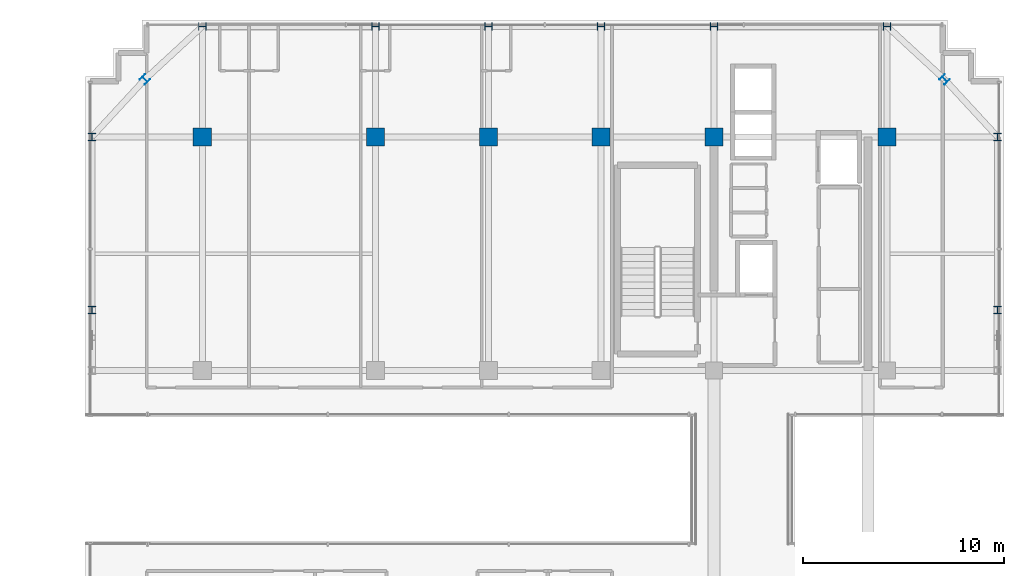
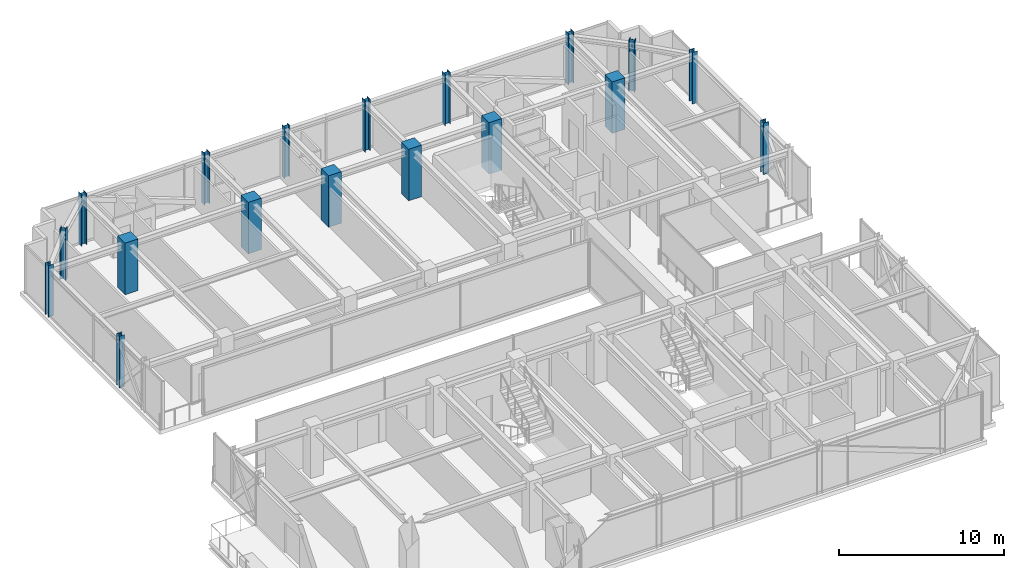
# One storey, part 3 of 37: 18 columns.
"""IFC4 building model written with IfcOpenShell, lengths in metres."""

from ifc_helpers import new_model, si_unit, direction, frame, origin, origin_2d, place, context, subcontext, project, spatial, rectangle, i_section, extrude, source, transform, mapped, material, material_profile, profile_set, type_object, element, save


model = new_model("IFC4")

# Units and contexts
model_context = context("Model", 3, precision=1e-05, world=origin(), true_north=direction((0.0, 1.0)))
body_context = subcontext(model_context, "Body", "Model", "MODEL_VIEW")
ifc_project = project(units=[si_unit("LENGTHUNIT", "METRE"), si_unit("AREAUNIT", "SQUARE_METRE"), si_unit("VOLUMEUNIT", "CUBIC_METRE"), si_unit("PLANEANGLEUNIT", "RADIAN"), si_unit("MASSUNIT", "GRAM", prefix="KILO")], contexts=[model_context])

# Site, building, storey
site_placement = place(None, origin())
site = spatial("IfcSite", under=ifc_project, at=site_placement, CompositionType="ELEMENT")
building_placement = place(site_placement, origin())
building = spatial("IfcBuilding", under=site, at=building_placement, Name="Nahalor Promenade Grand Hotel", CompositionType="ELEMENT")
storey_placement = place(building_placement, frame((0.0, 0.0, 292.64990234375)))
storey = spatial("IfcBuildingStorey", under=building, at=storey_placement, Name="L75", CompositionType="ELEMENT", Elevation=292.64990234375)

# Columns
ifc_material_1 = material(Name="Concrete B-50 (C40/50)", Category="concrete")
ifc_material_profile_1 = material_profile(ifc_material_1, rectangle(XDim=0.9, YDim=0.9, at=origin_2d()), Name="RC 900x900")
ifc_profile_set_1 = profile_set([ifc_material_profile_1], Name="Concrete B-50 (C40/50)")
column_type_1 = type_object("IfcColumnType", Name="Col-RC-900", PredefinedType="COLUMN", material=ifc_profile_set_1)
shared_shape_1 = source(origin(), body_context, "Body", "SweptSolid", [
    extrude(rectangle(XDim=0.9, YDim=0.9, at=origin_2d()), origin(), (0.0, 0.0, 1.0), 3.80517578125),
])
for number, where, z_axis, x_axis, name in (
    (1, (-17.0, 17.0, 0.0), (0.0, 0.0, 1.0), (1.0, 0.0, 0.0), "COL-L75-I03"),
    (2, (-8.39990234375, 17.0, 0.0), (0.0, 0.0, 1.0), (1.0, 0.0, 0.0), "COL-L75-I13"),
    (3, (-2.800048828125, 17.0, 0.0), (0.0, 0.0, 1.0), (1.0, 0.0, 0.0), "COL-L75-I23"),
    (4, (2.800048828125, 17.0, 0.0), (0.0, 0.0, 1.0), (1.0, 0.0, 0.0), "COL-L75-I33"),
    (5, (8.39990234375, 17.0, 0.0), (0.0, 0.0, 1.0), (1.0, 0.0, 0.0), "COL-L75-I43"),
    (6, (17.0, 17.0, 0.0), (0.0, 0.0, 1.0), (1.0, 0.0, 0.0), "COL-L75-I53"),
):
    element("IfcColumn", number, at=place(storey_placement, frame(where, z_axis=z_axis, x_axis=x_axis)), inside=storey, type_object=column_type_1, Name=name, PredefinedType="COLUMN", context=body_context, shape_type="MappedRepresentation", body=[
        mapped(shared_shape_1, transform((0.0, 0.0, 0.0), scale=1.0)),
    ])
ifc_material_2 = material(Name="Steel S355JR", Category="steel")
ifc_material_profile_2 = material_profile(ifc_material_2, i_section(OverallWidth=0.374, OverallDepth=0.374, WebThickness=0.0144, FlangeThickness=0.0229, at=origin_2d()), Name="HD 360x262")
ifc_profile_set_2 = profile_set([ifc_material_profile_2], Name="Steel S355JR")
column_type_2 = type_object("IfcColumnType", Name="Col-Steel-HD262", PredefinedType="COLUMN", material=ifc_profile_set_2)
shared_shape_2 = source(origin(), body_context, "Body", "SweptSolid", [
    extrude(i_section(OverallWidth=0.374, OverallDepth=0.374, WebThickness=0.0144, FlangeThickness=0.0229, at=origin_2d()), origin(), (0.0, 0.0, 1.0), 3.80517578125),
])
for number, where, z_axis, x_axis, name in (
    (7, (-22.47998046875, 8.39990234375, 0.0), (0.0, 0.0, 1.0), (1.0, 0.0, 0.0), "COL-L75-PW-W4"),
    (8, (22.47998046875, 8.39990234375, 0.0), (0.0, 0.0, 1.0), (1.0, 0.0, 0.0), "COL-L75-PW-E4"),
    (9, (-22.47998046875, 17.0, 0.0), (0.0, 0.0, 1.0), (1.0, 0.0, 0.0), "COL-L75-PW-W5"),
    (10, (22.47998046875, 17.0, 0.0), (0.0, 0.0, 1.0), (1.0, 0.0, 0.0), "COL-L75-PW-E5"),
    (11, (-17.0, 22.47998046875, 0.0), (0.0, 0.0, 1.0), (0.0, 1.0, 0.0), "COL-L75-PN-N0"),
    (12, (-8.39990234375, 22.47998046875, 0.0), (0.0, 0.0, 1.0), (0.0, 1.0, 0.0), "COL-L75-PN-N1"),
    (13, (-2.800048828125, 22.47998046875, 0.0), (0.0, 0.0, 1.0), (0.0, 1.0, 0.0), "COL-L75-PN-N2"),
    (14, (2.800048828125, 22.47998046875, 0.0), (0.0, 0.0, 1.0), (0.0, 1.0, 0.0), "COL-L75-PN-N3"),
    (15, (8.39990234375, 22.47998046875, 0.0), (0.0, 0.0, 1.0), (0.0, 1.0, 0.0), "COL-L75-PN-N4"),
    (16, (17.0, 22.47998046875, 0.0), (0.0, 0.0, 1.0), (0.0, 1.0, 0.0), "COL-L75-PN-N5"),
    (17, (-19.85009765625, 19.85009765625, 0.0), (0.0, 0.0, 1.0), (0.707106781187, 0.707106781187, 0.0), "COL-L75-CRN-NW"),
    (18, (19.85009765625, 19.85009765625, 0.0), (0.0, 0.0, 1.0), (0.707106781187, 0.707106781187, 0.0), "COL-L75-CRN-NE"),
):
    element("IfcColumn", number, at=place(storey_placement, frame(where, z_axis=z_axis, x_axis=x_axis)), inside=storey, type_object=column_type_2, Name=name, PredefinedType="COLUMN", context=body_context, shape_type="MappedRepresentation", body=[
        mapped(shared_shape_2, transform((0.0, 0.0, 0.0), scale=1.0)),
    ])

save(model, "model.ifc")
